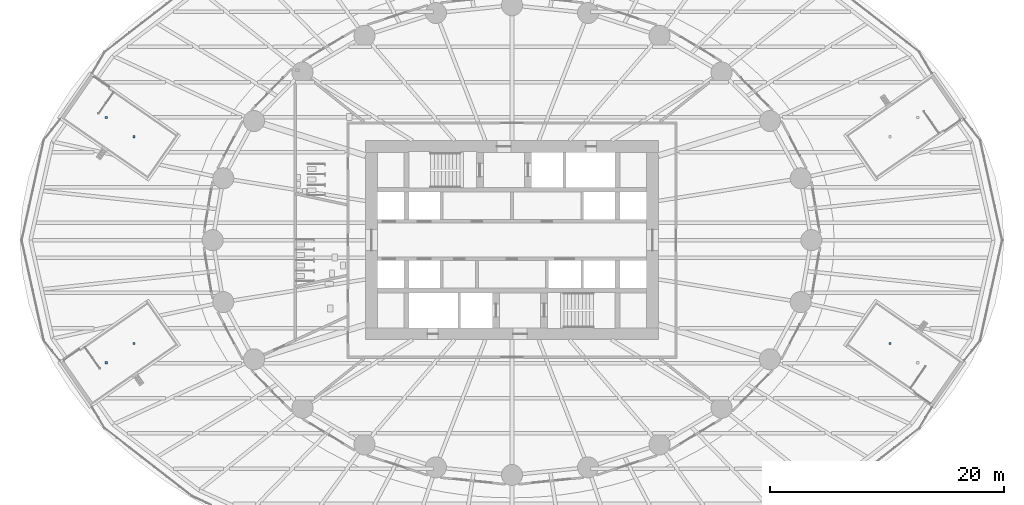
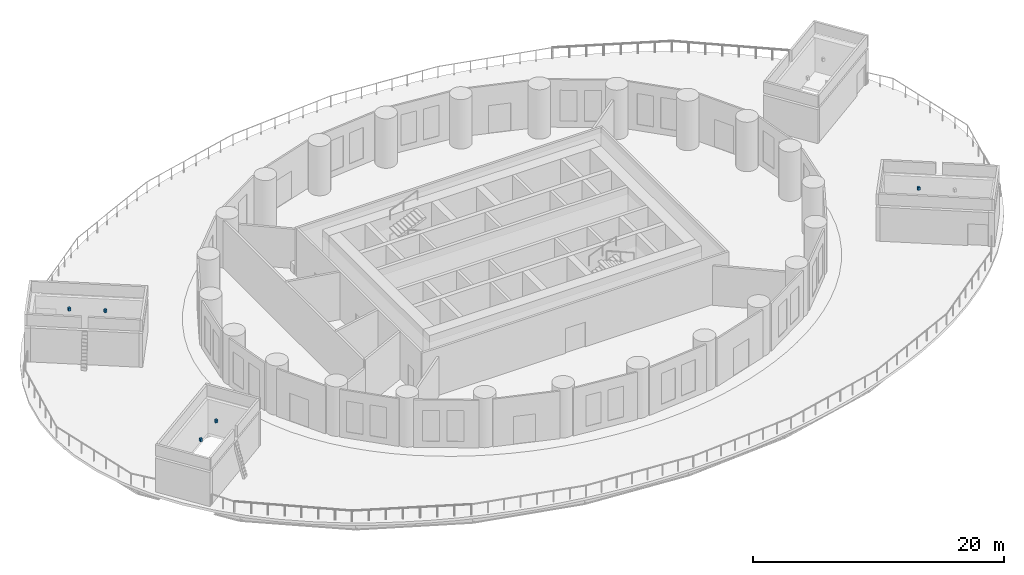
# One storey, part 12 of 17: 5 discrete accessories.
"""IFC4 building model written with IfcOpenShell, lengths in metres."""

from ifc_helpers import new_model, si_unit, direction, frame, origin, origin_2d, place, context, subcontext, project, spatial, rectangle, extrude, element, save


model = new_model("IFC4")

# Units and contexts
model_context = context("Model", 3, precision=1e-05, world=origin(), true_north=direction((0.0, 1.0)))
body_context = subcontext(model_context, "Body", "Model", "MODEL_VIEW")
ifc_project = project(units=[si_unit("LENGTHUNIT", "METRE"), si_unit("AREAUNIT", "SQUARE_METRE"), si_unit("VOLUMEUNIT", "CUBIC_METRE"), si_unit("PLANEANGLEUNIT", "RADIAN"), si_unit("MASSUNIT", "GRAM", prefix="KILO")], contexts=[model_context])

# Site, building, storey
site_placement = place(None, origin())
site = spatial("IfcSite", under=ifc_project, at=site_placement, CompositionType="ELEMENT")
building_placement = place(site_placement, origin())
building = spatial("IfcBuilding", under=site, at=building_placement, Name="Hankou Lantern Tower", CompositionType="ELEMENT")
storey_placement = place(building_placement, frame((0.0, 0.0, 24.60009765625)))
storey = spatial("IfcBuildingStorey", under=building, at=storey_placement, Name="L04", CompositionType="ELEMENT", Elevation=24.60009765625)

# Discrete accessories
for number, where, z_axis, x_axis, name in (
    (1, (-34.64453125, 10.472412109375, 3.5), (0.0, 0.0, 1.0), (1.0, 0.0, 0.0), "Fall arrest anchor post FA1 on the stair P2 head-house roof (1)"),
    (2, (-32.27490234375, 8.82421875, 3.5), (0.0, 0.0, 1.0), (1.0, 0.0, 0.0), "Fall arrest anchor post FA1 on the stair P2 head-house roof (2)"),
    (3, (-34.64453125, -10.472412109375, 3.5), (0.0, 0.0, 1.0), (1.0, 0.0, 0.0), "Fall arrest anchor post FA1 on the stair P3 head-house roof (1)"),
    (4, (-32.27490234375, -8.82421875, 3.5), (0.0, 0.0, 1.0), (1.0, 0.0, 0.0), "Fall arrest anchor post FA1 on the stair P3 head-house roof (2)"),
    (5, (32.27490234375, -8.82421875, 3.5), (0.0, 0.0, 1.0), (1.0, 0.0, 0.0), "Fall arrest anchor post FA1 on the stair P4 head-house roof (2)"),
):
    element("IfcDiscreteAccessory", number, at=place(storey_placement, frame(where, z_axis=z_axis, x_axis=x_axis)), inside=storey, Name=name, ObjectType="FALL ARREST ANCHOR", PredefinedType="USERDEFINED", context=body_context, shape_type="SweptSolid", body=[
        extrude(rectangle(XDim=0.199951171875, YDim=0.199951171875, at=origin_2d()), origin(), (0.0, 0.0, 1.0), 0.300048828125),
    ])

save(model, "model.ifc")
